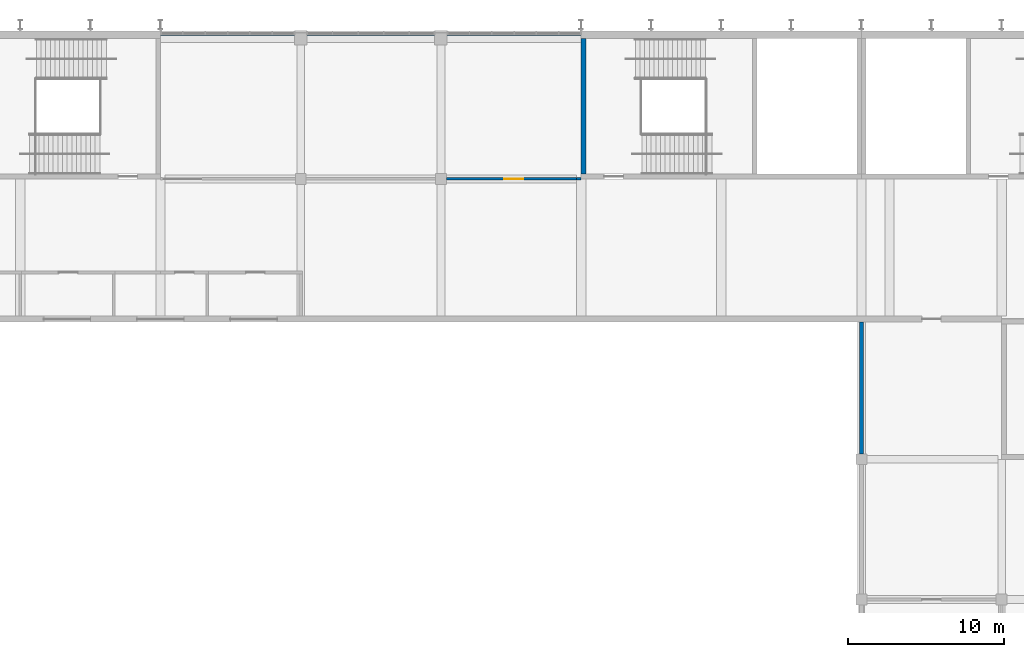
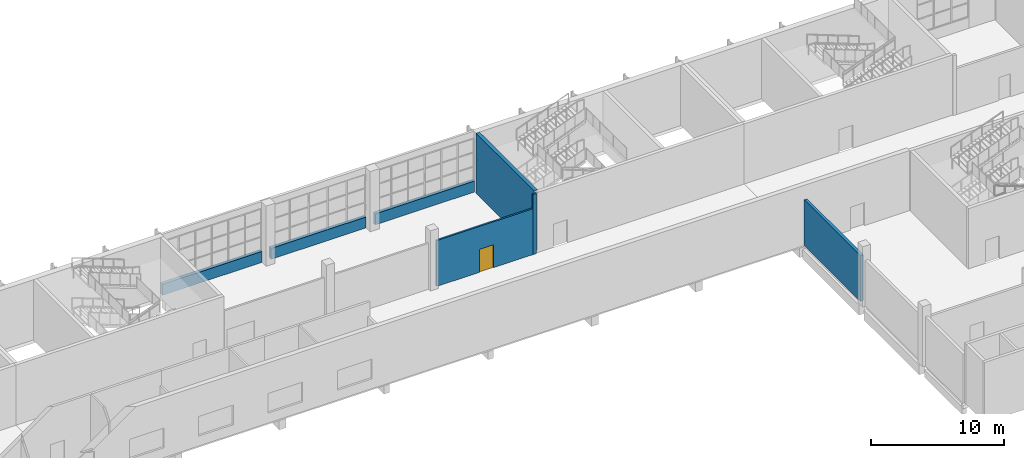
# One storey, part 40 of 84: 7 walls, 1 door, 1 opening.
"""IFC4 building model written with IfcOpenShell, lengths in metres."""

from ifc_helpers import new_model, si_unit, direction, frame, frame_2d, origin, place, context, subcontext, project, spatial, rectangle, extrude, material, layer, layer_set, type_object, element, fill, save


model = new_model("IFC4")

# Units and contexts
model_context = context("Model", 3, precision=1e-05, world=origin(), true_north=direction((0.0, 1.0)))
body_context = subcontext(model_context, "Body", "Model", "MODEL_VIEW")
ifc_project = project(units=[si_unit("LENGTHUNIT", "METRE"), si_unit("AREAUNIT", "SQUARE_METRE"), si_unit("VOLUMEUNIT", "CUBIC_METRE"), si_unit("PLANEANGLEUNIT", "RADIAN"), si_unit("MASSUNIT", "GRAM", prefix="KILO")], contexts=[model_context])

# Site, building, storey
site_placement = place(None, origin())
site = spatial("IfcSite", under=ifc_project, at=site_placement, CompositionType="ELEMENT")
building_placement = place(site_placement, origin())
building = spatial("IfcBuilding", under=site, at=building_placement, Name="Silverbay Arena", CompositionType="ELEMENT")
storey_placement = place(building_placement, frame((0.0, 0.0, 28.0)))
storey = spatial("IfcBuildingStorey", under=building, at=storey_placement, Name="L04", CompositionType="ELEMENT", Elevation=28.0)

# Walls
ifc_material_1 = material(Name="Anodised aluminium cladding on insulated backing", Category="aluminium")
ifc_layer_1 = layer(ifc_material_1, 0.300048828125)
ifc_layer_set_1 = layer_set([ifc_layer_1], Name="Anodised aluminium cladding on insulated backing")
wall_type_1 = type_object("IfcWallType", Name="Aluminium clad wall 300", PredefinedType="SOLIDWALL", material=ifc_layer_set_1)
wall_1_placement = place(storey_placement, frame((125.60009765625, 144.35009765625, 0.0), z_axis=(0.0, 0.0, 1.0), x_axis=(-1.0, 0.0, 0.0)))
element("IfcWall", 1, at=wall_1_placement, inside=storey, type_object=wall_type_1, Name="North sill wall L04 bay 8", PredefinedType="SOLIDWALL", context=body_context, shape_type="SweptSolid", body=[
    extrude(rectangle(XDim=8.60009765625, YDim=0.300048828125, at=frame_2d((4.300048828125, 0.0))), origin(), (0.0, 0.0, 1.0), 1.0),
])
wall_2_placement = place(storey_placement, frame((134.60009765625, 144.35009765625, 0.0), z_axis=(0.0, 0.0, 1.0), x_axis=(-1.0, 0.0, 0.0)))
element("IfcWall", 2, at=wall_2_placement, inside=storey, type_object=wall_type_1, Name="North sill wall L04 bay 9", PredefinedType="SOLIDWALL", context=body_context, shape_type="SweptSolid", body=[
    extrude(rectangle(XDim=8.2001953125, YDim=0.300048828125, at=frame_2d((4.10009765625, 0.0))), origin(), (0.0, 0.0, 1.0), 1.0),
])
wall_3_placement = place(storey_placement, frame((144.0, 144.35009765625, 0.0), z_axis=(0.0, 0.0, 1.0), x_axis=(-1.0, 0.0, 0.0)))
element("IfcWall", 3, at=wall_3_placement, inside=storey, type_object=wall_type_1, Name="North sill wall L04 bay 10", PredefinedType="SOLIDWALL", context=body_context, shape_type="SweptSolid", body=[
    extrude(rectangle(XDim=8.60009765625, YDim=0.300048828125, at=frame_2d((4.300048828125, 0.0))), origin(), (0.0, 0.0, 1.0), 1.0),
])
ifc_material_2 = material(Name="Concrete Grade C45", Category="concrete")
ifc_layer_2 = layer(ifc_material_2, 0.25)
ifc_layer_set_2 = layer_set([ifc_layer_2], Name="Concrete Grade C45")
wall_type_2 = type_object("IfcWallType", Name="Bowl enclosure wall RC 250 EI 120", PredefinedType="SOLIDWALL", material=ifc_layer_set_2)
wall_4_placement = place(storey_placement, frame((162.0, 117.35009765625, 0.0), z_axis=(0.0, 0.0, 1.0), x_axis=(0.0, 1.0, 0.0)))
element("IfcWall", 4, at=wall_4_placement, inside=storey, type_object=wall_type_2, Name="Bowl enclosure wall, corner block NE-x", PredefinedType="SOLIDWALL", context=body_context, shape_type="SweptSolid", body=[
    extrude(rectangle(XDim=8.449951171875, YDim=0.25, at=frame_2d((4.22509765625, 0.0))), origin(), (0.0, 0.0, 1.0), 4.199951171875),
])
ifc_material_3 = material(Name="Concrete Grade C45", Category="concrete")
ifc_layer_3 = layer(ifc_material_3, 0.300048828125)
ifc_layer_set_3 = layer_set([ifc_layer_3], Name="Concrete Grade C45")
wall_type_3 = type_object("IfcWallType", Name="Core wall RC 300 EI 120", PredefinedType="SHEAR", material=ifc_layer_set_3)
wall_5_placement = place(storey_placement, frame((144.14990234375, 135.300048828125, 0.0), z_axis=(0.0, 0.0, 1.0), x_axis=(0.0, 1.0, 0.0)))
element("IfcWall", 5, at=wall_5_placement, inside=storey, type_object=wall_type_3, Name="Core wall ST-N3 L04 end 1", PredefinedType="SHEAR", context=body_context, shape_type="SweptSolid", body=[
    extrude(rectangle(XDim=8.699951171875, YDim=0.300048828125, at=frame_2d((4.35009765625, 0.0))), origin(), (0.0, 0.0, 1.0), 5.5),
])

# Wall, opening, door
ifc_material_4 = material(Name="Gypsum board partition on steel studs", Category="steel")
ifc_layer_4 = layer(ifc_material_4, 0.14990234375)
ifc_layer_set_4 = layer_set([ifc_layer_4], Name="Gypsum board partition on steel studs")
wall_type_4 = type_object("IfcWallType", Name="Partition 150 EI 60", PredefinedType="PARTITIONING", material=ifc_layer_set_4)
wall_6_placement = place(storey_placement, frame((135.35009765625, 135.0, 0.0), z_axis=(0.0, 0.0, 1.0), x_axis=(1.0, 0.0, 0.0)))
wall_6 = element("IfcWall", 6, at=wall_6_placement, inside=storey, type_object=wall_type_4, Name="Partition wall", PredefinedType="PARTITIONING", context=body_context, shape_type="SweptSolid", body=[
    extrude(rectangle(XDim=8.349853515625, YDim=0.14990234375, at=frame_2d((4.1748046875, 0.0))), origin(), (0.0, 0.0, 1.0), 4.199951171875),
])
opening_placement = place(wall_6_placement, frame((3.72509765625, 0.0, 0.0)))
opening = element("IfcOpeningElement", 7, at=opening_placement, cuts=wall_6, Name="Opening L04-005", PredefinedType="OPENING", context=body_context, shape_type="SweptSolid", body=[
    extrude(rectangle(XDim=1.199951171875, YDim=2.10009765625, at=frame_2d((0.60009765625, 1.050048828125))), frame((0.0, 0.0849609375, 0.0), z_axis=(0.0, -1.0, 0.0), x_axis=(1.0, 0.0, 0.0)), (0.0, 0.0, 1.0), 0.169921875),
])
ifc_material_5 = material(Name="Steel faced timber", Category="steel")
door_type = type_object("IfcDoorType", Name="Single leaf door 1200 x 2100 FD30S", OperationType="SINGLE_SWING_LEFT", PredefinedType="DOOR", material=ifc_material_5)
door_placement = place(opening_placement, origin())
door = element("IfcDoor", 8, at=door_placement, inside=storey, type_object=door_type, Name="Door L04-005", OperationType="SINGLE_SWING_LEFT", OverallHeight=2.10009765625, OverallWidth=1.199951171875, PredefinedType="DOOR", context=body_context, shape_type="SweptSolid", body=[
    extrude(rectangle(XDim=1.199951171875, YDim=2.10009765625, at=frame_2d((0.60009765625, 1.050048828125))), frame((0.0, 0.02490234375, 0.0), z_axis=(0.0, -1.0, 0.0), x_axis=(1.0, 0.0, 0.0)), (0.0, 0.0, 1.0), 0.050048828125),
])
fill(opening, door)

# Wall
wall_7_placement = place(storey_placement, frame((143.699951171875, 135.0, 0.0), z_axis=(0.0, 0.0, 1.0), x_axis=(1.0, 0.0, 0.0)))
element("IfcWall", 9, at=wall_7_placement, inside=storey, type_object=wall_type_4, Name="Partition wall", PredefinedType="PARTITIONING", context=body_context, shape_type="SweptSolid", body=[
    extrude(rectangle(XDim=0.300048828125, YDim=0.14990234375, at=frame_2d((0.14990234375, 0.0))), origin(), (0.0, 0.0, 1.0), 5.5),
])

save(model, "model.ifc")
